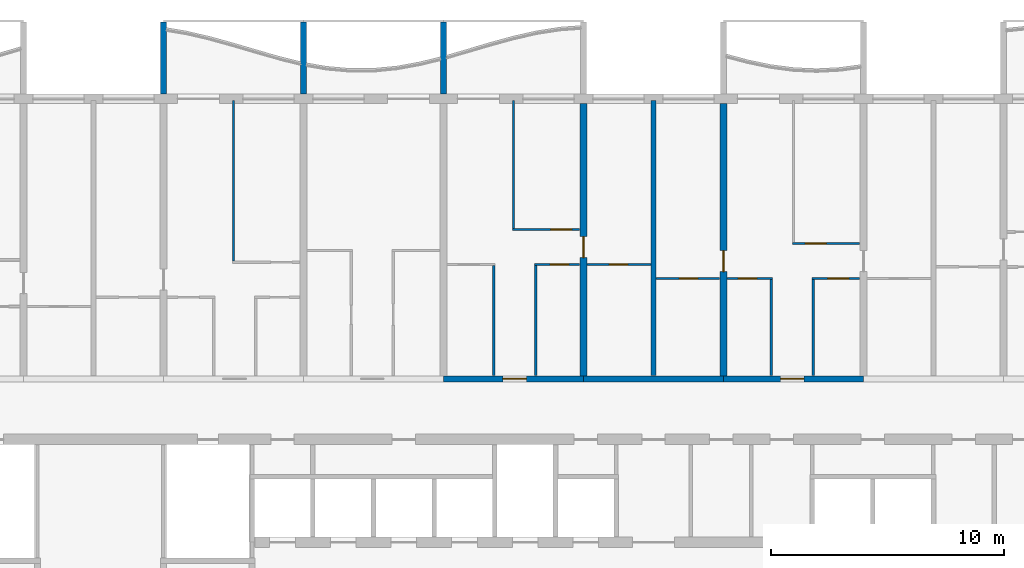
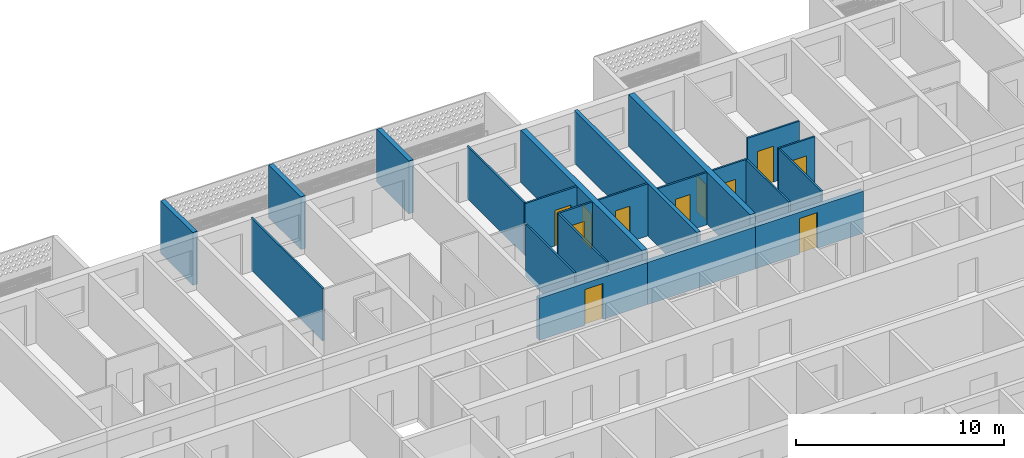
# One storey, part 10 of 33: 22 walls, 11 doors, 11 openings.
"""IFC4 building model written with IfcOpenShell, lengths in metres."""

from ifc_helpers import new_model, si_unit, direction, frame, frame_2d, origin, place, context, subcontext, project, spatial, polyline, rectangle, outline, extrude, source, transform, mapped, material, layer, layer_set, type_object, element, fill, save


model = new_model("IFC4")

# Units and contexts
model_context = context("Model", 3, precision=1e-05, world=origin(), true_north=direction((0.0, 1.0)))
body_context = subcontext(model_context, "Body", "Model", "MODEL_VIEW")
ifc_project = project(units=[si_unit("LENGTHUNIT", "METRE"), si_unit("AREAUNIT", "SQUARE_METRE"), si_unit("VOLUMEUNIT", "CUBIC_METRE"), si_unit("PLANEANGLEUNIT", "RADIAN"), si_unit("MASSUNIT", "GRAM", prefix="KILO")], contexts=[model_context])

# Site, building, storey
site_placement = place(None, origin())
site = spatial("IfcSite", under=ifc_project, at=site_placement, CompositionType="ELEMENT")
building_placement = place(site_placement, origin())
building = spatial("IfcBuilding", under=site, at=building_placement, Name="Poui Terraces", CompositionType="ELEMENT")
storey_placement = place(building_placement, frame((0.0, 0.0, 135.60009765625)))
storey = spatial("IfcBuildingStorey", under=building, at=storey_placement, Name="L37", CompositionType="ELEMENT", Elevation=135.60009765625)

# Wall, opening, door
ifc_material_1 = material(Name="Concrete 65 MPa", Category="concrete")
ifc_layer_1 = layer(ifc_material_1, 0.25)
ifc_layer_set_1 = layer_set([ifc_layer_1], Name="Concrete 65 MPa")
wall_type_1 = type_object("IfcWallType", Name="CORRIDOR WALL 250 65MPa", PredefinedType="SHEAR", material=ifc_layer_set_1)
wall_1_placement = place(storey_placement, frame((42.0, 30.39990234375, 0.0), z_axis=(0.0, 0.0, 1.0), x_axis=(1.0, 0.0, 0.0)))
wall_1 = element("IfcWall", 1, at=wall_1_placement, inside=storey, type_object=wall_type_1, Name="CORRIDOR WALL LINE E BAY 6", PredefinedType="SHEAR", context=body_context, shape_type="SweptSolid", body=[
    extrude(rectangle(XDim=6.0, YDim=0.25, at=frame_2d((3.0, 0.0))), origin(), (0.0, 0.0, 1.0), 2.469970703125),
])
opening_1_placement = place(wall_1_placement, frame((2.550048828125, 0.0, 0.0)))
opening_1 = element("IfcOpeningElement", 2, at=opening_1_placement, cuts=wall_1, Name="Opening FD30S", PredefinedType="OPENING", context=body_context, shape_type="SweptSolid", body=[
    extrude(rectangle(XDim=1.0, YDim=2.10009765625, at=frame_2d((0.5, 1.050048828125))), frame((0.0, 0.135009765625, 0.0), z_axis=(0.0, -1.0, 0.0), x_axis=(1.0, 0.0, 0.0)), (0.0, 0.0, 1.0), 0.27001953125),
])
ifc_material_2 = material(Name="Steel fire door", Category="steel")
door_type_1 = type_object("IfcDoorType", Name="FLAT ENTRANCE DOOR 1000 X 2100", OperationType="NOTDEFINED", PredefinedType="DOOR", material=ifc_material_2)
door_1_placement = place(opening_1_placement, origin())
door_1 = element("IfcDoor", 3, at=door_1_placement, inside=storey, type_object=door_type_1, Name="FLAT ENTRANCE DOOR 049", OperationType="SINGLE_SWING_RIGHT", OverallHeight=2.10009765625, OverallWidth=1.0, PredefinedType="DOOR", context=body_context, shape_type="SweptSolid", body=[
    extrude(rectangle(XDim=1.0, YDim=2.10009765625, at=frame_2d((0.5, 1.050048828125))), frame((0.0, 0.02490234375, 0.0), z_axis=(0.0, -1.0, 0.0), x_axis=(1.0, 0.0, 0.0)), (0.0, 0.0, 1.0), 0.050048828125),
])
fill(opening_1, door_1)

# Wall
wall_2_placement = place(storey_placement, frame((48.0, 30.39990234375, 0.0), z_axis=(0.0, 0.0, 1.0), x_axis=(1.0, 0.0, 0.0)))
element("IfcWall", 4, at=wall_2_placement, inside=storey, type_object=wall_type_1, Name="CORRIDOR WALL LINE E BAY 7", PredefinedType="SHEAR", context=body_context, shape_type="SweptSolid", body=[
    extrude(rectangle(XDim=6.0, YDim=0.25, at=frame_2d((3.0, 0.0))), origin(), (0.0, 0.0, 1.0), 2.469970703125),
])

# Wall, opening, door
wall_3_placement = place(storey_placement, frame((54.0, 30.39990234375, 0.0), z_axis=(0.0, 0.0, 1.0), x_axis=(1.0, 0.0, 0.0)))
wall_3 = element("IfcWall", 5, at=wall_3_placement, inside=storey, type_object=wall_type_1, Name="CORRIDOR WALL LINE E BAY 8", PredefinedType="SHEAR", context=body_context, shape_type="SweptSolid", body=[
    extrude(rectangle(XDim=6.0, YDim=0.25, at=frame_2d((3.0, 0.0))), origin(), (0.0, 0.0, 1.0), 2.469970703125),
])
opening_2_placement = place(wall_3_placement, frame((2.449951171875, 0.0, 0.0)))
opening_2 = element("IfcOpeningElement", 6, at=opening_2_placement, cuts=wall_3, Name="Opening FD30S", PredefinedType="OPENING", context=body_context, shape_type="SweptSolid", body=[
    extrude(rectangle(XDim=1.0, YDim=2.10009765625, at=frame_2d((0.5, 1.050048828125))), frame((0.0, 0.135009765625, 0.0), z_axis=(0.0, -1.0, 0.0), x_axis=(1.0, 0.0, 0.0)), (0.0, 0.0, 1.0), 0.27001953125),
])
door_2_placement = place(opening_2_placement, origin())
door_2 = element("IfcDoor", 7, at=door_2_placement, inside=storey, type_object=door_type_1, Name="FLAT ENTRANCE DOOR 057", OperationType="SINGLE_SWING_LEFT", OverallHeight=2.10009765625, OverallWidth=1.0, PredefinedType="DOOR", context=body_context, shape_type="SweptSolid", body=[
    extrude(rectangle(XDim=1.0, YDim=2.10009765625, at=frame_2d((0.5, 1.050048828125))), frame((0.0, 0.02490234375, 0.0), z_axis=(0.0, -1.0, 0.0), x_axis=(1.0, 0.0, 0.0)), (0.0, 0.0, 1.0), 0.050048828125),
])
fill(opening_2, door_2)

ifc_layer_2 = layer(ifc_material_1, 0.300048828125)
ifc_layer_set_2 = layer_set([ifc_layer_2], Name="Concrete 65 MPa")
wall_type_2 = type_object("IfcWallType", Name="CROSS WALL 300 65MPa", PredefinedType="SHEAR", material=ifc_layer_set_2)
wall_4_placement = place(storey_placement, frame((48.0, 30.52490234375, 0.0), z_axis=(0.0, 0.0, 1.0), x_axis=(0.0, 1.0, 0.0)))
wall_4 = element("IfcWall", 8, at=wall_4_placement, inside=storey, type_object=wall_type_2, Name="CROSS WALL LINE 9 NORTH", PredefinedType="SHEAR", context=body_context, shape_type="SweptSolid", body=[
    extrude(rectangle(XDim=11.675048828125, YDim=0.300048828125, at=frame_2d((5.83740234375, 0.0))), origin(), (0.0, 0.0, 1.0), 3.06982421875),
])
opening_3_placement = place(wall_4_placement, frame((5.074951171875, 0.0, 0.0)))
opening_3 = element("IfcOpeningElement", 9, at=opening_3_placement, cuts=wall_4, Name="Opening D90", PredefinedType="OPENING", context=body_context, shape_type="SweptSolid", body=[
    extrude(rectangle(XDim=0.89990234375, YDim=2.10009765625, at=frame_2d((0.449951171875, 1.050048828125))), frame((0.0, 0.16015625, 0.0), z_axis=(0.0, -1.0, 0.0), x_axis=(1.0, 0.0, 0.0)), (0.0, 0.0, 1.0), 0.320068359375),
])
ifc_material_3 = material(Name="Solid core timber door", Category="wood")
door_type_2 = type_object("IfcDoorType", Name="INTERNAL DOOR 900 X 2100", OperationType="NOTDEFINED", PredefinedType="DOOR", material=ifc_material_3)
door_3_placement = place(opening_3_placement, frame((0.89990234375, 0.0, 0.0), z_axis=(0.0, 0.0, 1.0), x_axis=(-1.0, 0.0, 0.0)))
door_3 = element("IfcDoor", 10, at=door_3_placement, inside=storey, type_object=door_type_2, Name="INTERNAL DOOR 052", OperationType="SINGLE_SWING_RIGHT", OverallHeight=2.10009765625, OverallWidth=0.89990234375, PredefinedType="DOOR", context=body_context, shape_type="SweptSolid", body=[
    extrude(rectangle(XDim=0.89990234375, YDim=2.10009765625, at=frame_2d((0.449951171875, 1.050048828125))), frame((0.0, 0.02490234375, 0.0), z_axis=(0.0, -1.0, 0.0), x_axis=(1.0, 0.0, 0.0)), (0.0, 0.0, 1.0), 0.050048828125),
])
fill(opening_3, door_3)

wall_5_placement = place(storey_placement, frame((54.0, 30.52490234375, 0.0), z_axis=(0.0, 0.0, 1.0), x_axis=(0.0, 1.0, 0.0)))
wall_5 = element("IfcWall", 11, at=wall_5_placement, inside=storey, type_object=wall_type_2, Name="CROSS WALL LINE 10 NORTH", PredefinedType="SHEAR", context=body_context, shape_type="SweptSolid", body=[
    extrude(rectangle(XDim=11.675048828125, YDim=0.300048828125, at=frame_2d((5.83740234375, 0.0))), origin(), (0.0, 0.0, 1.0), 3.06982421875),
])
opening_4_placement = place(wall_5_placement, frame((4.47509765625, 0.0, 0.0)))
opening_4 = element("IfcOpeningElement", 12, at=opening_4_placement, cuts=wall_5, Name="Opening D90", PredefinedType="OPENING", context=body_context, shape_type="SweptSolid", body=[
    extrude(rectangle(XDim=0.89990234375, YDim=2.10009765625, at=frame_2d((0.449951171875, 1.050048828125))), frame((0.0, 0.16015625, 0.0), z_axis=(0.0, -1.0, 0.0), x_axis=(1.0, 0.0, 0.0)), (0.0, 0.0, 1.0), 0.320068359375),
])
door_4_placement = place(opening_4_placement, origin())
door_4 = element("IfcDoor", 13, at=door_4_placement, inside=storey, type_object=door_type_2, Name="INTERNAL DOOR 055", OperationType="SINGLE_SWING_LEFT", OverallHeight=2.10009765625, OverallWidth=0.89990234375, PredefinedType="DOOR", context=body_context, shape_type="SweptSolid", body=[
    extrude(rectangle(XDim=0.89990234375, YDim=2.10009765625, at=frame_2d((0.449951171875, 1.050048828125))), frame((0.0, 0.02490234375, 0.0), z_axis=(0.0, -1.0, 0.0), x_axis=(1.0, 0.0, 0.0)), (0.0, 0.0, 1.0), 0.050048828125),
])
fill(opening_4, door_4)

ifc_material_4 = material(Name="Plasterboard partition")
ifc_layer_3 = layer(ifc_material_4, 0.10009765625)
ifc_layer_set_3 = layer_set([ifc_layer_3], Name="Plasterboard partition")
wall_type_3 = type_object("IfcWallType", Name="FLAT PARTITION 100", PredefinedType="PARTITIONING", material=ifc_layer_set_3)
wall_6_placement = place(storey_placement, frame((51.10009765625, 34.699951171875, 0.0), z_axis=(0.0, 0.0, 1.0), x_axis=(1.0, 0.0, 0.0)))
wall_6 = element("IfcWall", 14, at=wall_6_placement, inside=storey, type_object=wall_type_3, Name="FLAT PARTITION 100", PredefinedType="PARTITIONING", context=body_context, shape_type="SweptSolid", body=[
    extrude(rectangle(XDim=2.739990234375, YDim=0.10009765625, at=frame_2d((1.3701171875, 0.0))), origin(), (0.0, 0.0, 1.0), 3.06982421875),
])
opening_5_placement = place(wall_6_placement, frame((1.0, 0.0, 0.0)))
opening_5 = element("IfcOpeningElement", 15, at=opening_5_placement, cuts=wall_6, Name="Opening D80", PredefinedType="OPENING", context=body_context, shape_type="SweptSolid", body=[
    extrude(rectangle(XDim=0.800048828125, YDim=2.10009765625, at=frame_2d((0.39990234375, 1.050048828125))), frame((0.0, 0.06005859375, 0.0), z_axis=(0.0, -1.0, 0.0), x_axis=(1.0, 0.0, 0.0)), (0.0, 0.0, 1.0), 0.1201171875),
])
door_type_3 = type_object("IfcDoorType", Name="BATHROOM, LAUNDRY AND STORE DOOR 800 X 2100", OperationType="NOTDEFINED", PredefinedType="DOOR", material=ifc_material_3)
door_5_placement = place(opening_5_placement, frame((0.800048828125, 0.0, 0.0), z_axis=(0.0, 0.0, 1.0), x_axis=(-1.0, 0.0, 0.0)))
door_5 = element("IfcDoor", 16, at=door_5_placement, inside=storey, type_object=door_type_3, Name="BATHROOM, LAUNDRY AND STORE DOOR 053", OperationType="SINGLE_SWING_LEFT", OverallHeight=2.10009765625, OverallWidth=0.800048828125, PredefinedType="DOOR", context=body_context, shape_type="SweptSolid", body=[
    extrude(rectangle(XDim=0.800048828125, YDim=2.10009765625, at=frame_2d((0.39990234375, 1.050048828125))), frame((0.0, 0.02490234375, 0.0), z_axis=(0.0, -1.0, 0.0), x_axis=(1.0, 0.0, 0.0)), (0.0, 0.0, 1.0), 0.050048828125),
])
fill(opening_5, door_5)

wall_7_placement = place(storey_placement, frame((54.159912109375, 34.699951171875, 0.0), z_axis=(0.0, 0.0, 1.0), x_axis=(1.0, 0.0, 0.0)))
wall_7 = element("IfcWall", 17, at=wall_7_placement, inside=storey, type_object=wall_type_3, Name="FLAT PARTITION 100", PredefinedType="PARTITIONING", context=body_context, shape_type="SweptSolid", body=[
    extrude(rectangle(XDim=1.940185546875, YDim=0.10009765625, at=frame_2d((0.97021484375, 0.0))), origin(), (0.0, 0.0, 1.0), 3.06982421875),
])
opening_6_placement = place(wall_7_placement, frame((0.465087890625, 0.0, 0.0)))
opening_6 = element("IfcOpeningElement", 18, at=opening_6_placement, cuts=wall_7, Name="Opening D80", PredefinedType="OPENING", context=body_context, shape_type="SweptSolid", body=[
    extrude(rectangle(XDim=0.800048828125, YDim=2.10009765625, at=frame_2d((0.39990234375, 1.050048828125))), frame((0.0, 0.06005859375, 0.0), z_axis=(0.0, -1.0, 0.0), x_axis=(1.0, 0.0, 0.0)), (0.0, 0.0, 1.0), 0.1201171875),
])
door_6_placement = place(opening_6_placement, frame((0.800048828125, 0.0, 0.0), z_axis=(0.0, 0.0, 1.0), x_axis=(-1.0, 0.0, 0.0)))
door_6 = element("IfcDoor", 19, at=door_6_placement, inside=storey, type_object=door_type_3, Name="BATHROOM, LAUNDRY AND STORE DOOR 056", OperationType="SINGLE_SWING_LEFT", OverallHeight=2.10009765625, OverallWidth=0.800048828125, PredefinedType="DOOR", context=body_context, shape_type="SweptSolid", body=[
    extrude(rectangle(XDim=0.800048828125, YDim=2.10009765625, at=frame_2d((0.39990234375, 1.050048828125))), frame((0.0, 0.02490234375, 0.0), z_axis=(0.0, -1.0, 0.0), x_axis=(1.0, 0.0, 0.0)), (0.0, 0.0, 1.0), 0.050048828125),
])
fill(opening_6, door_6)

wall_8_placement = place(storey_placement, frame((57.800048828125, 34.699951171875, 0.0), z_axis=(0.0, 0.0, 1.0), x_axis=(1.0, 0.0, 0.0)))
wall_8 = element("IfcWall", 20, at=wall_8_placement, inside=storey, type_object=wall_type_3, Name="FLAT PARTITION 100", PredefinedType="PARTITIONING", context=body_context, shape_type="SweptSolid", body=[
    extrude(rectangle(XDim=2.0400390625, YDim=0.10009765625, at=frame_2d((1.02001953125, 0.0))), origin(), (0.0, 0.0, 1.0), 3.06982421875),
])
opening_7_placement = place(wall_8_placement, frame((0.675048828125, 0.0, 0.0)))
opening_7 = element("IfcOpeningElement", 21, at=opening_7_placement, cuts=wall_8, Name="Opening D90", PredefinedType="OPENING", context=body_context, shape_type="SweptSolid", body=[
    extrude(rectangle(XDim=0.89990234375, YDim=2.10009765625, at=frame_2d((0.449951171875, 1.050048828125))), frame((0.0, 0.06005859375, 0.0), z_axis=(0.0, -1.0, 0.0), x_axis=(1.0, 0.0, 0.0)), (0.0, 0.0, 1.0), 0.1201171875),
])
door_7_placement = place(opening_7_placement, frame((0.89990234375, 0.0, 0.0), z_axis=(0.0, 0.0, 1.0), x_axis=(-1.0, 0.0, 0.0)))
door_7 = element("IfcDoor", 22, at=door_7_placement, inside=storey, type_object=door_type_2, Name="INTERNAL DOOR 059", OperationType="SINGLE_SWING_RIGHT", OverallHeight=2.10009765625, OverallWidth=0.89990234375, PredefinedType="DOOR", context=body_context, shape_type="SweptSolid", body=[
    extrude(rectangle(XDim=0.89990234375, YDim=2.10009765625, at=frame_2d((0.449951171875, 1.050048828125))), frame((0.0, 0.02490234375, 0.0), z_axis=(0.0, -1.0, 0.0), x_axis=(1.0, 0.0, 0.0)), (0.0, 0.0, 1.0), 0.050048828125),
])
fill(opening_7, door_7)

wall_9_placement = place(storey_placement, frame((45.89990234375, 35.300048828125, 0.0), z_axis=(0.0, 0.0, 1.0), x_axis=(1.0, 0.0, 0.0)))
wall_9 = element("IfcWall", 23, at=wall_9_placement, inside=storey, type_object=wall_type_3, Name="FLAT PARTITION 100", PredefinedType="PARTITIONING", context=body_context, shape_type="SweptSolid", body=[
    extrude(rectangle(XDim=1.940185546875, YDim=0.10009765625, at=frame_2d((0.97021484375, 0.0))), origin(), (0.0, 0.0, 1.0), 3.06982421875),
])
opening_8_placement = place(wall_9_placement, frame((0.675048828125, 0.0, 0.0)))
opening_8 = element("IfcOpeningElement", 24, at=opening_8_placement, cuts=wall_9, Name="Opening D80", PredefinedType="OPENING", context=body_context, shape_type="SweptSolid", body=[
    extrude(rectangle(XDim=0.800048828125, YDim=2.10009765625, at=frame_2d((0.39990234375, 1.050048828125))), frame((0.0, 0.06005859375, 0.0), z_axis=(0.0, -1.0, 0.0), x_axis=(1.0, 0.0, 0.0)), (0.0, 0.0, 1.0), 0.1201171875),
])
door_8_placement = place(opening_8_placement, frame((0.800048828125, 0.0, 0.0), z_axis=(0.0, 0.0, 1.0), x_axis=(-1.0, 0.0, 0.0)))
door_8 = element("IfcDoor", 25, at=door_8_placement, inside=storey, type_object=door_type_3, Name="BATHROOM, LAUNDRY AND STORE DOOR 050", OperationType="SINGLE_SWING_LEFT", OverallHeight=2.10009765625, OverallWidth=0.800048828125, PredefinedType="DOOR", context=body_context, shape_type="SweptSolid", body=[
    extrude(rectangle(XDim=0.800048828125, YDim=2.10009765625, at=frame_2d((0.39990234375, 1.050048828125))), frame((0.0, 0.02490234375, 0.0), z_axis=(0.0, -1.0, 0.0), x_axis=(1.0, 0.0, 0.0)), (0.0, 0.0, 1.0), 0.050048828125),
])
fill(opening_8, door_8)

wall_10_placement = place(storey_placement, frame((48.159912109375, 35.300048828125, 0.0), z_axis=(0.0, 0.0, 1.0), x_axis=(1.0, 0.0, 0.0)))
wall_10 = element("IfcWall", 26, at=wall_10_placement, inside=storey, type_object=wall_type_3, Name="FLAT PARTITION 100", PredefinedType="PARTITIONING", context=body_context, shape_type="SweptSolid", body=[
    extrude(rectangle(XDim=2.739990234375, YDim=0.10009765625, at=frame_2d((1.3701171875, 0.0))), origin(), (0.0, 0.0, 1.0), 3.06982421875),
])
opening_9_placement = place(wall_10_placement, frame((0.93994140625, 0.0, 0.0)))
opening_9 = element("IfcOpeningElement", 27, at=opening_9_placement, cuts=wall_10, Name="Opening D80", PredefinedType="OPENING", context=body_context, shape_type="SweptSolid", body=[
    extrude(rectangle(XDim=0.800048828125, YDim=2.10009765625, at=frame_2d((0.39990234375, 1.050048828125))), frame((0.0, 0.06005859375, 0.0), z_axis=(0.0, -1.0, 0.0), x_axis=(1.0, 0.0, 0.0)), (0.0, 0.0, 1.0), 0.1201171875),
])
door_9_placement = place(opening_9_placement, frame((0.800048828125, 0.0, 0.0), z_axis=(0.0, 0.0, 1.0), x_axis=(-1.0, 0.0, 0.0)))
door_9 = element("IfcDoor", 28, at=door_9_placement, inside=storey, type_object=door_type_3, Name="BATHROOM, LAUNDRY AND STORE DOOR 047", OperationType="SINGLE_SWING_RIGHT", OverallHeight=2.10009765625, OverallWidth=0.800048828125, PredefinedType="DOOR", context=body_context, shape_type="SweptSolid", body=[
    extrude(rectangle(XDim=0.800048828125, YDim=2.10009765625, at=frame_2d((0.39990234375, 1.050048828125))), frame((0.0, 0.02490234375, 0.0), z_axis=(0.0, -1.0, 0.0), x_axis=(1.0, 0.0, 0.0)), (0.0, 0.0, 1.0), 0.050048828125),
])
fill(opening_9, door_9)

wall_11_placement = place(storey_placement, frame((56.949951171875, 36.199951171875, 0.0), z_axis=(0.0, 0.0, 1.0), x_axis=(1.0, 0.0, 0.0)))
wall_11 = element("IfcWall", 29, at=wall_11_placement, inside=storey, type_object=wall_type_3, Name="FLAT PARTITION 100", PredefinedType="PARTITIONING", context=body_context, shape_type="SweptSolid", body=[
    extrude(rectangle(XDim=2.89013671875, YDim=0.10009765625, at=frame_2d((1.445068359375, 0.0))), origin(), (0.0, 0.0, 1.0), 3.06982421875),
])
opening_10_placement = place(wall_11_placement, frame((0.550048828125, 0.0, 0.0)))
opening_10 = element("IfcOpeningElement", 30, at=opening_10_placement, cuts=wall_11, Name="Opening D90", PredefinedType="OPENING", context=body_context, shape_type="SweptSolid", body=[
    extrude(rectangle(XDim=0.89990234375, YDim=2.10009765625, at=frame_2d((0.449951171875, 1.050048828125))), frame((0.0, 0.06005859375, 0.0), z_axis=(0.0, -1.0, 0.0), x_axis=(1.0, 0.0, 0.0)), (0.0, 0.0, 1.0), 0.1201171875),
])
door_10_placement = place(opening_10_placement, frame((0.89990234375, 0.0, 0.0), z_axis=(0.0, 0.0, 1.0), x_axis=(-1.0, 0.0, 0.0)))
door_10 = element("IfcDoor", 31, at=door_10_placement, inside=storey, type_object=door_type_2, Name="INTERNAL DOOR 058", OperationType="SINGLE_SWING_LEFT", OverallHeight=2.10009765625, OverallWidth=0.89990234375, PredefinedType="DOOR", context=body_context, shape_type="SweptSolid", body=[
    extrude(rectangle(XDim=0.89990234375, YDim=2.10009765625, at=frame_2d((0.449951171875, 1.050048828125))), frame((0.0, 0.02490234375, 0.0), z_axis=(0.0, -1.0, 0.0), x_axis=(1.0, 0.0, 0.0)), (0.0, 0.0, 1.0), 0.050048828125),
])
fill(opening_10, door_10)

wall_12_placement = place(storey_placement, frame((44.949951171875, 36.800048828125, 0.0), z_axis=(0.0, 0.0, 1.0), x_axis=(1.0, 0.0, 0.0)))
wall_12 = element("IfcWall", 32, at=wall_12_placement, inside=storey, type_object=wall_type_3, Name="FLAT PARTITION 100", PredefinedType="PARTITIONING", context=body_context, shape_type="SweptSolid", body=[
    extrude(rectangle(XDim=2.89013671875, YDim=0.10009765625, at=frame_2d((1.445068359375, 0.0))), origin(), (0.0, 0.0, 1.0), 3.06982421875),
])
opening_11_placement = place(wall_12_placement, frame((1.64990234375, 0.0, 0.0)))
opening_11 = element("IfcOpeningElement", 33, at=opening_11_placement, cuts=wall_12, Name="Opening D90", PredefinedType="OPENING", context=body_context, shape_type="SweptSolid", body=[
    extrude(rectangle(XDim=0.89990234375, YDim=2.10009765625, at=frame_2d((0.449951171875, 1.050048828125))), frame((0.0, 0.06005859375, 0.0), z_axis=(0.0, -1.0, 0.0), x_axis=(1.0, 0.0, 0.0)), (0.0, 0.0, 1.0), 0.1201171875),
])
door_11_placement = place(opening_11_placement, frame((0.89990234375, 0.0, 0.0), z_axis=(0.0, 0.0, 1.0), x_axis=(-1.0, 0.0, 0.0)))
door_11 = element("IfcDoor", 34, at=door_11_placement, inside=storey, type_object=door_type_2, Name="INTERNAL DOOR 051", OperationType="SINGLE_SWING_RIGHT", OverallHeight=2.10009765625, OverallWidth=0.89990234375, PredefinedType="DOOR", context=body_context, shape_type="SweptSolid", body=[
    extrude(rectangle(XDim=0.89990234375, YDim=2.10009765625, at=frame_2d((0.449951171875, 1.050048828125))), frame((0.0, 0.02490234375, 0.0), z_axis=(0.0, -1.0, 0.0), x_axis=(1.0, 0.0, 0.0)), (0.0, 0.0, 1.0), 0.050048828125),
])
fill(opening_11, door_11)

# Walls
wall_13_placement = place(storey_placement, frame((33.0, 35.449951171875, 0.0), z_axis=(0.0, 0.0, 1.0), x_axis=(0.0, 1.0, 0.0)))
element("IfcWall", 35, at=wall_13_placement, inside=storey, type_object=wall_type_3, Name="FLAT PARTITION 100", PredefinedType="PARTITIONING", context=body_context, shape_type="SweptSolid", body=[
    extrude(rectangle(XDim=6.89013671875, YDim=0.10009765625, at=frame_2d((3.445068359375, 0.0))), origin(), (0.0, 0.0, 1.0), 3.06982421875),
])
wall_14_placement = place(storey_placement, frame((44.14990234375, 30.534912109375, 0.0), z_axis=(0.0, 0.0, 1.0), x_axis=(0.0, 1.0, 0.0)))
element("IfcWall", 36, at=wall_14_placement, inside=storey, type_object=wall_type_3, Name="FLAT PARTITION 100", PredefinedType="PARTITIONING", context=body_context, shape_type="SweptSolid", body=[
    extrude(rectangle(XDim=4.715087890625, YDim=0.10009765625, at=frame_2d((2.357421875, 0.0))), origin(), (0.0, 0.0, 1.0), 3.06982421875),
])
wall_15_placement = place(storey_placement, frame((45.0, 36.85009765625, 0.0), z_axis=(0.0, 0.0, 1.0), x_axis=(0.0, 1.0, 0.0)))
element("IfcWall", 37, at=wall_15_placement, inside=storey, type_object=wall_type_3, Name="FLAT PARTITION 100", PredefinedType="PARTITIONING", context=body_context, shape_type="SweptSolid", body=[
    extrude(rectangle(XDim=5.489990234375, YDim=0.10009765625, at=frame_2d((2.7451171875, 0.0))), origin(), (0.0, 0.0, 1.0), 3.06982421875),
])
wall_16_placement = place(storey_placement, frame((45.949951171875, 30.534912109375, 0.0), z_axis=(0.0, 0.0, 1.0), x_axis=(0.0, 1.0, 0.0)))
element("IfcWall", 38, at=wall_16_placement, inside=storey, type_object=wall_type_3, Name="FLAT PARTITION 100", PredefinedType="PARTITIONING", context=body_context, shape_type="SweptSolid", body=[
    extrude(rectangle(XDim=4.715087890625, YDim=0.10009765625, at=frame_2d((2.357421875, 0.0))), origin(), (0.0, 0.0, 1.0), 3.06982421875),
])
for number, where, z_axis, x_axis, name in (
    (39, (56.050048828125, 30.534912109375, 0.0), (0.0, 0.0, 1.0), (0.0, 1.0, 0.0), "FLAT PARTITION 100"),
    (40, (57.85009765625, 30.534912109375, 0.0), (0.0, 0.0, 1.0), (0.0, 1.0, 0.0), "FLAT PARTITION 100"),
):
    element("IfcWall", number, at=place(storey_placement, frame(where, z_axis=z_axis, x_axis=x_axis)), inside=storey, type_object=wall_type_3, Name=name, PredefinedType="PARTITIONING", context=body_context, shape_type="SweptSolid", body=[
        extrude(rectangle(XDim=4.114990234375, YDim=0.10009765625, at=frame_2d((2.0576171875, 0.0))), origin(), (0.0, 0.0, 1.0), 3.06982421875),
    ])
ifc_material_5 = material(Name="Fire-rated masonry wall", Category="masonry")
ifc_layer_4 = layer(ifc_material_5, 0.199951171875)
ifc_layer_set_4 = layer_set([ifc_layer_4], Name="Fire-rated masonry wall")
wall_type_4 = type_object("IfcWallType", Name="FLAT PARTY WALL 200", PredefinedType="PARTITIONING", material=ifc_layer_set_4)
wall_17_placement = place(storey_placement, frame((51.0, 30.534912109375, 0.0), z_axis=(0.0, 0.0, 1.0), x_axis=(0.0, 1.0, 0.0)))
element("IfcWall", 41, at=wall_17_placement, inside=storey, type_object=wall_type_4, Name="FLAT PARTY WALL 200", PredefinedType="PARTITIONING", context=body_context, shape_type="SweptSolid", body=[
    extrude(rectangle(XDim=11.80517578125, YDim=0.199951171875, at=frame_2d((5.902587890625, 0.0))), origin(), (0.0, 0.0, 1.0), 3.06982421875),
])
ifc_material_6 = material(Name="Precast concrete 40 MPa", Category="concrete")
ifc_layer_5 = layer(ifc_material_6, 0.25)
ifc_layer_set_5 = layer_set([ifc_layer_5], Name="Precast concrete 40 MPa")
wall_type_5 = type_object("IfcWallType", Name="BALCONY FIN 250", PredefinedType="STANDARD", material=ifc_layer_set_5)
shared_shape = source(origin(), body_context, "Body", "SweptSolid", [
    extrude(outline(polyline([(0.0, 0.0), (0.25, 0.0), (0.25, 3.099853515625), (0.0, 3.099853515625), (0.0, 0.0)])), origin(), (0.0, 0.0, 1.0), 3.099853515625),
])
for number, where, name in (
    (42, (29.875, 42.60009765625, 0.0), "BALCONY FIN"),
    (43, (35.875, 42.60009765625, 0.0), "BALCONY FIN"),
    (44, (41.875, 42.60009765625, 0.0), "BALCONY FIN"),
):
    element("IfcWall", number, at=place(storey_placement, frame(where)), inside=storey, type_object=wall_type_5, Name=name, PredefinedType="STANDARD", context=body_context, shape_type="MappedRepresentation", body=[
        mapped(shared_shape, transform((0.0, 0.0, 0.0))),
    ])

save(model, "model.ifc")
